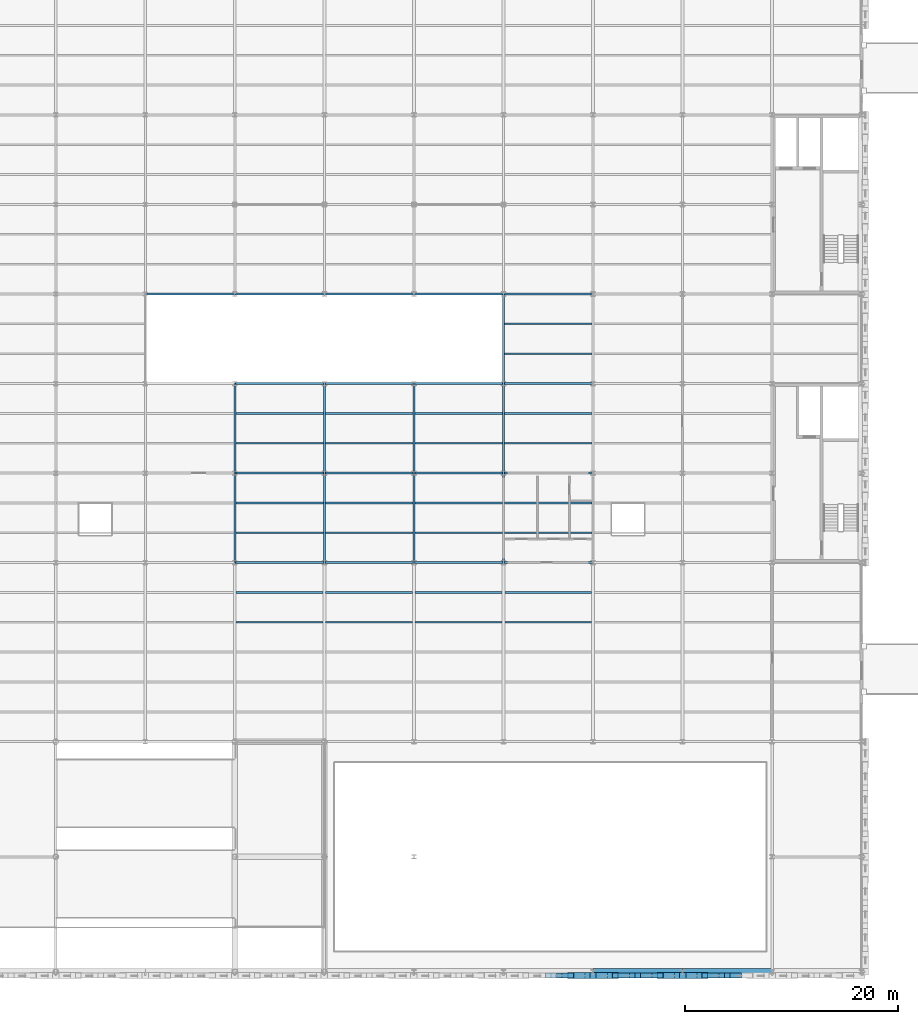
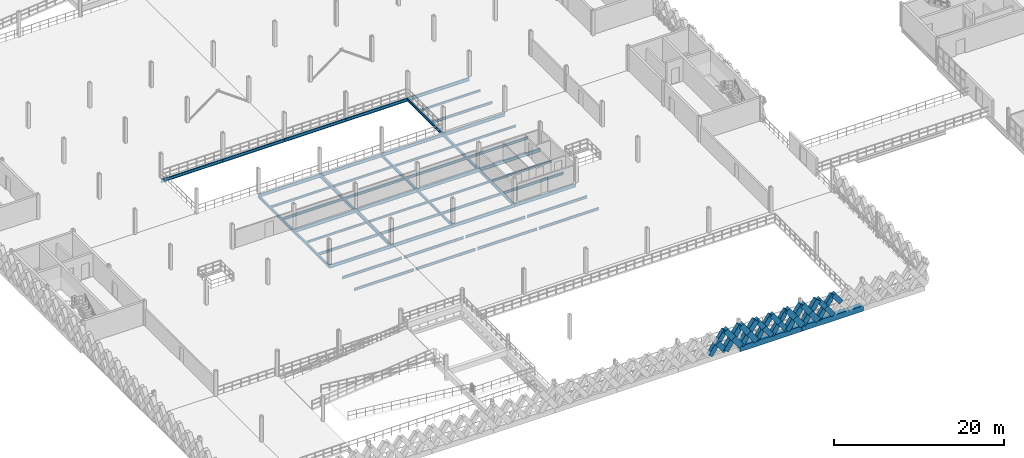
# One storey, part 27 of 101: 54 beams, 24 members.
"""IFC4 building model written with IfcOpenShell, lengths in metres."""

import ifcopenshell
import ifcopenshell.guid

model = None  # the IFC model being written
_history = None  # IfcOwnerHistory: only IFC2X3 demands one
_inside = {}  # id of a spatial element -> (the spatial element, [elements in it])
_under = {}  # id of a project, library or spatial element -> (it, [spatial elements below it])
_declared = {}  # id of a project -> (the project, [libraries it declares])
_typed = {}  # id of a type object -> (the type object, [elements of that type])
_made_of = {}  # id of a material, layer set ... -> (it, [elements and type objects made of it])


def new_model(schema):
    """Start an empty IFC model of exactly this schema.

    Asked for "IFC4X3", IfcOpenShell would pick the latest addendum, in which some entities
    have other attributes; the version numbers below select the first issue.
    IFC2X3 requires an IfcOwnerHistory on every rooted entity: one is made here for all.
    """
    global model, _history
    if schema == "IFC4X3":
        model = ifcopenshell.file(schema_version=(4, 3, 0, 0))
    else:
        model = ifcopenshell.file(schema=schema)
    _inside.clear()
    _under.clear()
    _declared.clear()
    _typed.clear()
    _made_of.clear()
    _history = None
    if model.schema == "IFC2X3":
        org = make("IfcOrganization", Name="unknown")
        user = make(
            "IfcPersonAndOrganization",
            ThePerson=make("IfcPerson", FamilyName="unknown"),
            TheOrganization=org,
        )
        app = make(
            "IfcApplication",
            ApplicationDeveloper=org,
            Version="unknown",
            ApplicationFullName="unknown",
            ApplicationIdentifier="unknown",
        )
        _history = make(
            "IfcOwnerHistory",
            OwningUser=user,
            OwningApplication=app,
            ChangeAction="ADDED",
            CreationDate=0,
        )
    return model


def make(cls, **values):
    """One entity of the class cls with the attributes given. An attribute that is None is left unset."""
    return model.create_entity(
        cls, **{name: value for name, value in values.items() if value is not None}
    )


def rooted(cls, **values):
    """An entity with a GlobalId (a new one), such as an element, a storey or a relation."""
    return make(cls, GlobalId=ifcopenshell.guid.new(), OwnerHistory=_history, **values)


def si_unit(unit_type, name, prefix=None):
    """IfcSIUnit, for example si_unit("LENGTHUNIT", "METRE", prefix="MILLI")."""
    return make("IfcSIUnit", UnitType=unit_type, Prefix=prefix, Name=name)


def assignment(units):
    """IfcUnitAssignment: the units of a project."""
    return None if units is None else make("IfcUnitAssignment", Units=units)


def point(xyz):
    """IfcCartesianPoint."""
    return None if xyz is None else make("IfcCartesianPoint", Coordinates=xyz)


def direction(xyz):
    """IfcDirection."""
    return None if xyz is None else make("IfcDirection", DirectionRatios=xyz)


def frame(location, z_axis=None, x_axis=None):
    """IfcAxis2Placement3D, a coordinate frame: its origin and axes. An axis left out is left unset."""
    return make(
        "IfcAxis2Placement3D",
        Location=point(location),
        Axis=direction(z_axis),
        RefDirection=direction(x_axis),
    )


def frame_2d(location, x_axis=None):
    """IfcAxis2Placement2D, a coordinate frame in the plane: its origin and x axis."""
    return make(
        "IfcAxis2Placement2D", Location=point(location), RefDirection=direction(x_axis)
    )


def origin():
    """The frame at (0, 0, 0) with its axes left unset."""
    return frame((0.0, 0.0, 0.0))


def origin_2d():
    """The frame at (0, 0) in the plane with its x axis left unset."""
    return frame_2d((0.0, 0.0))


def place(relative_to, where):
    """IfcLocalPlacement: puts the frame where relative to a parent placement (None: the world)."""
    return make(
        "IfcLocalPlacement", PlacementRelTo=relative_to, RelativePlacement=where
    )


def context(
    kind, dimensions, precision=None, world=None, true_north=None, identifier=None
):
    """IfcGeometricRepresentationContext, for example the 3D "Model" context."""
    return make(
        "IfcGeometricRepresentationContext",
        ContextIdentifier=identifier,
        ContextType=kind,
        CoordinateSpaceDimension=dimensions,
        Precision=precision,
        WorldCoordinateSystem=world,
        TrueNorth=true_north,
    )


def subcontext(parent, identifier, kind, view, scale=None):
    """IfcGeometricRepresentationSubContext, for example "Body" below "Model"."""
    return make(
        "IfcGeometricRepresentationSubContext",
        ContextIdentifier=identifier,
        ContextType=kind,
        ParentContext=parent,
        TargetScale=scale,
        TargetView=view,
    )


def project(units=None, contexts=None):
    """IfcProject with its units and contexts."""
    return rooted(
        "IfcProject",
        Name="project",
        RepresentationContexts=contexts,
        UnitsInContext=assignment(units),
    )


def spatial(cls, under=None, at=None, **own):
    """A site, building, storey or space (cls), placed at a placement, below another one or the project."""
    s = rooted(cls, ObjectPlacement=at, **own)
    if under is not None:
        _under.setdefault(under.id(), (under, []))[1].append(s)
    return s


def profile(cls, at=None, kind="AREA", **sizes):
    """A parametric profile (cls). Its sizes go by their IFC names, for example OverallWidth=200.0."""
    return make(cls, ProfileType=kind, Position=at, **sizes)


def rectangle(**sizes):
    """IfcRectangleProfileDef."""
    return profile("IfcRectangleProfileDef", **sizes)


def i_section(**sizes):
    """IfcIShapeProfileDef."""
    return profile("IfcIShapeProfileDef", **sizes)


def extrude(swept, where, along, depth):
    """IfcExtrudedAreaSolid: the profile swept, set in the frame where, extruded along a direction by depth."""
    return make(
        "IfcExtrudedAreaSolid",
        SweptArea=swept,
        Position=where,
        ExtrudedDirection=direction(along),
        Depth=depth,
    )


def shape(context_of_items, identifier, shape_type, items):
    """IfcShapeRepresentation: the items that make up one representation, for example the "Body"."""
    return make(
        "IfcShapeRepresentation",
        ContextOfItems=context_of_items,
        RepresentationIdentifier=identifier,
        RepresentationType=shape_type,
        Items=items,
    )


def material(Name=None, Category=None):
    """IfcMaterial."""
    return make("IfcMaterial", Name=Name, Category=Category)


def material_profile(
    of_material, cross_section, Name=None, Category=None, Priority=None
):
    """IfcMaterialProfile: a cross section and its material."""
    return make(
        "IfcMaterialProfile",
        Name=Name,
        Material=of_material,
        Profile=cross_section,
        Priority=Priority,
        Category=Category,
    )


def profile_set(profiles, Name=None, composite=None):
    """IfcMaterialProfileSet."""
    return make(
        "IfcMaterialProfileSet",
        Name=Name,
        MaterialProfiles=profiles,
        CompositeProfile=composite,
    )


def made_of(thing, what):
    """Note that an element or type object is made of a material, layer set ...; save() writes the relation."""
    if what is not None:
        _made_of.setdefault(what.id(), (what, []))[1].append(thing)
    return thing


def type_object(cls, material=None, **own):
    """A type object (cls), such as IfcWallType, which elements share."""
    return made_of(rooted(cls, **own), material)


def element(
    cls,
    number,
    at=None,
    inside=None,
    cuts=None,
    type_object=None,
    material=None,
    context=None,
    identifier="Body",
    shape_type=None,
    held_by="IfcProductDefinitionShape",
    body=None,
    shapes=None,
    **own,
):
    """One element of the class cls, such as IfcWall. Its Tag is "e" and its number.

    at: its placement. inside: the storey or other place that contains it. cuts: it is an
    opening in that element (IfcRelVoidsElement). A single representation is given by context,
    identifier, shape_type and body (its items); several are given by shapes. held_by: the class
    of the entity that holds the representations. save() writes the other relations.
    """
    e = rooted(cls, Tag="e%d" % number, ObjectPlacement=at, **own)
    if body is not None:
        shapes = [shape(context, identifier, shape_type, body)]
    if shapes is not None:
        e.Representation = make(held_by, Representations=shapes)
    if inside is not None:
        _inside.setdefault(inside.id(), (inside, []))[1].append(e)
    if cuts is not None:
        rooted(
            "IfcRelVoidsElement", RelatingBuildingElement=cuts, RelatedOpeningElement=e
        )
    if type_object is not None:
        _typed.setdefault(type_object.id(), (type_object, []))[1].append(e)
    return made_of(e, material)


def aggregate(whole, parts):
    """IfcRelAggregates: a whole, such as a stair, and the parts it consists of."""
    return rooted("IfcRelAggregates", RelatingObject=whole, RelatedObjects=parts)


def save(model, path):
    """Write the relations noted so far, then the file.

    IfcRelAggregates (storeys below a building ...), IfcRelContainedInSpatialStructure (elements
    in a storey), IfcRelDefinesByType, IfcRelAssociatesMaterial and IfcRelDeclares: one each for
    every whole, place, type object, material and project.
    """
    for whole, parts in _under.values():
        aggregate(whole, parts)
    for where, things in _inside.values():
        rooted(
            "IfcRelContainedInSpatialStructure",
            RelatedElements=things,
            RelatingStructure=where,
        )
    for kind, things in _typed.values():
        rooted("IfcRelDefinesByType", RelatedObjects=things, RelatingType=kind)
    for what, things in _made_of.values():
        rooted("IfcRelAssociatesMaterial", RelatedObjects=things, RelatingMaterial=what)
    for by, libraries in _declared.values():
        rooted("IfcRelDeclares", RelatingContext=by, RelatedDefinitions=libraries)
    model.write(path)


model = new_model("IFC4")

# Units and contexts
model_context = context("Model", 3, precision=1e-05, world=origin(), true_north=direction((0.0, 1.0)))
body_context = subcontext(model_context, "Body", "Model", "MODEL_VIEW")
ifc_project = project(units=[si_unit("LENGTHUNIT", "METRE"), si_unit("AREAUNIT", "SQUARE_METRE"), si_unit("VOLUMEUNIT", "CUBIC_METRE"), si_unit("PLANEANGLEUNIT", "RADIAN"), si_unit("MASSUNIT", "GRAM", prefix="KILO"), si_unit("THERMODYNAMICTEMPERATUREUNIT", "KELVIN"), si_unit("POWERUNIT", "WATT")], contexts=[model_context])

# Site, building, storey
site_placement = place(None, origin())
site = spatial("IfcSite", under=ifc_project, at=site_placement, CompositionType="ELEMENT")
building_placement = place(site_placement, origin())
building = spatial("IfcBuilding", under=site, at=building_placement, Name="Tembeka Court Mobility Hub", CompositionType="ELEMENT")
storey_placement = place(building_placement, frame((0.0, 0.0, 5.39990234375)))
storey = spatial("IfcBuildingStorey", under=building, at=storey_placement, Name="L01", CompositionType="ELEMENT", Elevation=5.39990234375)

# Beams
ifc_material_1 = material(Name="Steel S355", Category="steel")
ifc_material_profile_1 = material_profile(ifc_material_1, i_section(OverallWidth=0.18994140625, OverallDepth=0.45703125, WebThickness=0.009033203125, FlangeThickness=0.014404296875, FilletRadius=0.01025390625, at=origin_2d()), Name="UKB 457x191x74")
ifc_profile_set_1 = profile_set([ifc_material_profile_1], Name="Steel S355")
beam_type_1 = type_object("IfcBeamType", Name="BM-B01", PredefinedType="BEAM", material=ifc_profile_set_1)
for number, where, z_axis, x_axis, name in (
    (1, (33.60009765625, 38.39990234375, -0.448486328125), (1.0, 0.0, 0.0), (0.0, 1.0, 0.0), "Beam B01 (BM-L01-X0653)"),
    (2, (42.0, 38.39990234375, -0.448486328125), (1.0, 0.0, 0.0), (0.0, 1.0, 0.0), "Beam B01 (BM-L01-X0654)"),
):
    element("IfcBeam", number, at=place(storey_placement, frame(where, z_axis=z_axis, x_axis=x_axis)), inside=storey, type_object=beam_type_1, Name=name, PredefinedType="BEAM", context=body_context, shape_type="SweptSolid", body=[
        extrude(i_section(OverallWidth=0.18994140625, OverallDepth=0.45703125, WebThickness=0.009033203125, FlangeThickness=0.014404296875, FilletRadius=0.01025390625, at=origin_2d()), origin(), (0.0, 0.0, 1.0), 8.39990234375),
    ])
beam_1_placement = place(storey_placement, frame((50.39990234375, 38.39990234375, -0.448486328125), z_axis=(1.0, 0.0, 0.0), x_axis=(0.0, 1.0, 0.0)))
element("IfcBeam", 3, at=beam_1_placement, inside=storey, type_object=beam_type_1, Name="Beam B01 (BM-L01-X0655)", PredefinedType="BEAM", context=body_context, shape_type="SweptSolid", body=[
    extrude(i_section(OverallWidth=0.18994140625, OverallDepth=0.45703125, WebThickness=0.009033203125, FlangeThickness=0.014404296875, FilletRadius=0.01025390625, at=origin_2d()), origin(), (0.0, 0.0, 1.0), 8.400146484375),
])
for number, where, z_axis, x_axis, name in (
    (4, (58.800048828125, 38.39990234375, -0.448486328125), (1.0, 0.0, 0.0), (0.0, 1.0, 0.0), "Beam B01 (BM-L01-X0656)"),
    (5, (33.60009765625, 46.800048828125, -0.448486328125), (1.0, 0.0, 0.0), (0.0, 1.0, 0.0), "Beam B01 (BM-L01-X0668)"),
    (6, (42.0, 46.800048828125, -0.448486328125), (1.0, 0.0, 0.0), (0.0, 1.0, 0.0), "Beam B01 (BM-L01-X0669)"),
):
    element("IfcBeam", number, at=place(storey_placement, frame(where, z_axis=z_axis, x_axis=x_axis)), inside=storey, type_object=beam_type_1, Name=name, PredefinedType="BEAM", context=body_context, shape_type="SweptSolid", body=[
        extrude(i_section(OverallWidth=0.18994140625, OverallDepth=0.45703125, WebThickness=0.009033203125, FlangeThickness=0.014404296875, FilletRadius=0.01025390625, at=origin_2d()), origin(), (0.0, 0.0, 1.0), 8.39990234375),
    ])
beam_2_placement = place(storey_placement, frame((50.39990234375, 46.800048828125, -0.448486328125), z_axis=(1.0, 0.0, 0.0), x_axis=(0.0, 1.0, 0.0)))
element("IfcBeam", 7, at=beam_2_placement, inside=storey, type_object=beam_type_1, Name="Beam B01 (BM-L01-X0670)", PredefinedType="BEAM", context=body_context, shape_type="SweptSolid", body=[
    extrude(i_section(OverallWidth=0.18994140625, OverallDepth=0.45703125, WebThickness=0.009033203125, FlangeThickness=0.014404296875, FilletRadius=0.01025390625, at=origin_2d()), origin(), (0.0, 0.0, 1.0), 8.400146484375),
])
for number, where, z_axis, x_axis, name in (
    (8, (58.800048828125, 46.800048828125, -0.448486328125), (1.0, 0.0, 0.0), (0.0, 1.0, 0.0), "Beam B01 (BM-L01-X0671)"),
    (9, (33.60009765625, 55.199951171875, -0.448486328125), (1.0, 0.0, 0.0), (0.0, 1.0, 0.0), "Beam B01 (BM-L01-X0683)"),
    (10, (42.0, 55.199951171875, -0.448486328125), (1.0, 0.0, 0.0), (0.0, 1.0, 0.0), "Beam B01 (BM-L01-X0684)"),
):
    element("IfcBeam", number, at=place(storey_placement, frame(where, z_axis=z_axis, x_axis=x_axis)), inside=storey, type_object=beam_type_1, Name=name, PredefinedType="BEAM", context=body_context, shape_type="SweptSolid", body=[
        extrude(i_section(OverallWidth=0.18994140625, OverallDepth=0.45703125, WebThickness=0.009033203125, FlangeThickness=0.014404296875, FilletRadius=0.01025390625, at=origin_2d()), origin(), (0.0, 0.0, 1.0), 8.39990234375),
    ])
beam_3_placement = place(storey_placement, frame((50.39990234375, 55.199951171875, -0.448486328125), z_axis=(1.0, 0.0, 0.0), x_axis=(0.0, 1.0, 0.0)))
element("IfcBeam", 11, at=beam_3_placement, inside=storey, type_object=beam_type_1, Name="Beam B01 (BM-L01-X0685)", PredefinedType="BEAM", context=body_context, shape_type="SweptSolid", body=[
    extrude(i_section(OverallWidth=0.18994140625, OverallDepth=0.45703125, WebThickness=0.009033203125, FlangeThickness=0.014404296875, FilletRadius=0.01025390625, at=origin_2d()), origin(), (0.0, 0.0, 1.0), 8.400146484375),
])
beam_4_placement = place(storey_placement, frame((58.800048828125, 55.199951171875, -0.448486328125), z_axis=(1.0, 0.0, 0.0), x_axis=(0.0, 1.0, 0.0)))
element("IfcBeam", 12, at=beam_4_placement, inside=storey, type_object=beam_type_1, Name="Beam B01 (BM-L01-X0686)", PredefinedType="BEAM", context=body_context, shape_type="SweptSolid", body=[
    extrude(i_section(OverallWidth=0.18994140625, OverallDepth=0.45703125, WebThickness=0.009033203125, FlangeThickness=0.014404296875, FilletRadius=0.01025390625, at=origin_2d()), origin(), (0.0, 0.0, 1.0), 8.39990234375),
])
beam_5_placement = place(storey_placement, frame((25.199951171875, 63.60009765625, -0.448486328125), z_axis=(1.0, 0.0, 0.0), x_axis=(0.0, 1.0, 0.0)))
element("IfcBeam", 13, at=beam_5_placement, inside=storey, type_object=beam_type_1, Name="Beam B01 (BM-L01-X0694)", PredefinedType="BEAM", context=body_context, shape_type="SweptSolid", body=[
    extrude(i_section(OverallWidth=0.18994140625, OverallDepth=0.45703125, WebThickness=0.009033203125, FlangeThickness=0.014404296875, FilletRadius=0.01025390625, at=origin_2d()), origin(), (0.0, 0.0, 1.0), 8.400146484375),
])
for number, where, z_axis, x_axis, name in (
    (14, (33.60009765625, 63.60009765625, -0.448486328125), (1.0, 0.0, 0.0), (0.0, 1.0, 0.0), "Beam B01 (BM-L01-X0695)"),
    (15, (42.0, 63.60009765625, -0.448486328125), (1.0, 0.0, 0.0), (0.0, 1.0, 0.0), "Beam B01 (BM-L01-X0696)"),
):
    element("IfcBeam", number, at=place(storey_placement, frame(where, z_axis=z_axis, x_axis=x_axis)), inside=storey, type_object=beam_type_1, Name=name, PredefinedType="BEAM", context=body_context, shape_type="SweptSolid", body=[
        extrude(i_section(OverallWidth=0.18994140625, OverallDepth=0.45703125, WebThickness=0.009033203125, FlangeThickness=0.014404296875, FilletRadius=0.01025390625, at=origin_2d()), origin(), (0.0, 0.0, 1.0), 8.39990234375),
    ])
beam_6_placement = place(storey_placement, frame((50.39990234375, 63.60009765625, -0.448486328125), z_axis=(1.0, 0.0, 0.0), x_axis=(0.0, 1.0, 0.0)))
element("IfcBeam", 16, at=beam_6_placement, inside=storey, type_object=beam_type_1, Name="Beam B01 (BM-L01-X0697)", PredefinedType="BEAM", context=body_context, shape_type="SweptSolid", body=[
    extrude(i_section(OverallWidth=0.18994140625, OverallDepth=0.45703125, WebThickness=0.009033203125, FlangeThickness=0.014404296875, FilletRadius=0.01025390625, at=origin_2d()), origin(), (0.0, 0.0, 1.0), 8.400146484375),
])
beam_7_placement = place(storey_placement, frame((58.800048828125, 63.60009765625, -0.448486328125), z_axis=(1.0, 0.0, 0.0), x_axis=(0.0, 1.0, 0.0)))
element("IfcBeam", 17, at=beam_7_placement, inside=storey, type_object=beam_type_1, Name="Beam B01 (BM-L01-X0698)", PredefinedType="BEAM", context=body_context, shape_type="SweptSolid", body=[
    extrude(i_section(OverallWidth=0.18994140625, OverallDepth=0.45703125, WebThickness=0.009033203125, FlangeThickness=0.014404296875, FilletRadius=0.01025390625, at=origin_2d()), origin(), (0.0, 0.0, 1.0), 8.39990234375),
])
ifc_material_profile_2 = material_profile(ifc_material_1, i_section(OverallWidth=0.177978515625, OverallDepth=0.406005859375, WebThickness=0.0078125, FlangeThickness=0.0126953125, FilletRadius=0.01025390625, at=origin_2d()), Name="UKB 406x178x60")
ifc_profile_set_2 = profile_set([ifc_material_profile_2], Name="Steel S355")
beam_type_2 = type_object("IfcBeamType", Name="BM-B02", PredefinedType="BEAM", material=ifc_profile_set_2)
beam_8_placement = place(storey_placement, frame((33.60009765625, 38.39990234375, -0.4228515625), z_axis=(0.0, 1.0, 0.0), x_axis=(-1.0, 0.0, 0.0)))
element("IfcBeam", 18, at=beam_8_placement, inside=storey, type_object=beam_type_2, Name="Beam B02 (BM-L01-Y0802)", PredefinedType="BEAM", context=body_context, shape_type="SweptSolid", body=[
    extrude(i_section(OverallWidth=0.177978515625, OverallDepth=0.406005859375, WebThickness=0.0078125, FlangeThickness=0.0126953125, FilletRadius=0.01025390625, at=origin_2d()), origin(), (0.0, 0.0, 1.0), 8.400146484375),
])
beam_9_placement = place(storey_placement, frame((33.60009765625, 46.800048828125, -0.4228515625), z_axis=(0.0, 1.0, 0.0), x_axis=(-1.0, 0.0, 0.0)))
element("IfcBeam", 19, at=beam_9_placement, inside=storey, type_object=beam_type_2, Name="Beam B02 (BM-L01-Y0803)", PredefinedType="BEAM", context=body_context, shape_type="SweptSolid", body=[
    extrude(i_section(OverallWidth=0.177978515625, OverallDepth=0.406005859375, WebThickness=0.0078125, FlangeThickness=0.0126953125, FilletRadius=0.01025390625, at=origin_2d()), origin(), (0.0, 0.0, 1.0), 8.39990234375),
])
beam_10_placement = place(storey_placement, frame((42.0, 38.39990234375, -0.4228515625), z_axis=(0.0, 1.0, 0.0), x_axis=(-1.0, 0.0, 0.0)))
element("IfcBeam", 20, at=beam_10_placement, inside=storey, type_object=beam_type_2, Name="Beam B02 (BM-L01-Y0810)", PredefinedType="BEAM", context=body_context, shape_type="SweptSolid", body=[
    extrude(i_section(OverallWidth=0.177978515625, OverallDepth=0.406005859375, WebThickness=0.0078125, FlangeThickness=0.0126953125, FilletRadius=0.01025390625, at=origin_2d()), origin(), (0.0, 0.0, 1.0), 8.400146484375),
])
beam_11_placement = place(storey_placement, frame((42.0, 46.800048828125, -0.4228515625), z_axis=(0.0, 1.0, 0.0), x_axis=(-1.0, 0.0, 0.0)))
element("IfcBeam", 21, at=beam_11_placement, inside=storey, type_object=beam_type_2, Name="Beam B02 (BM-L01-Y0811)", PredefinedType="BEAM", context=body_context, shape_type="SweptSolid", body=[
    extrude(i_section(OverallWidth=0.177978515625, OverallDepth=0.406005859375, WebThickness=0.0078125, FlangeThickness=0.0126953125, FilletRadius=0.01025390625, at=origin_2d()), origin(), (0.0, 0.0, 1.0), 8.39990234375),
])
beam_12_placement = place(storey_placement, frame((50.39990234375, 38.39990234375, -0.4228515625), z_axis=(0.0, 1.0, 0.0), x_axis=(-1.0, 0.0, 0.0)))
element("IfcBeam", 22, at=beam_12_placement, inside=storey, type_object=beam_type_2, Name="Beam B02 (BM-L01-Y0818)", PredefinedType="BEAM", context=body_context, shape_type="SweptSolid", body=[
    extrude(i_section(OverallWidth=0.177978515625, OverallDepth=0.406005859375, WebThickness=0.0078125, FlangeThickness=0.0126953125, FilletRadius=0.01025390625, at=origin_2d()), origin(), (0.0, 0.0, 1.0), 8.400146484375),
])
beam_13_placement = place(storey_placement, frame((50.39990234375, 46.800048828125, -0.4228515625), z_axis=(0.0, 1.0, 0.0), x_axis=(-1.0, 0.0, 0.0)))
element("IfcBeam", 23, at=beam_13_placement, inside=storey, type_object=beam_type_2, Name="Beam B02 (BM-L01-Y0819)", PredefinedType="BEAM", context=body_context, shape_type="SweptSolid", body=[
    extrude(i_section(OverallWidth=0.177978515625, OverallDepth=0.406005859375, WebThickness=0.0078125, FlangeThickness=0.0126953125, FilletRadius=0.01025390625, at=origin_2d()), origin(), (0.0, 0.0, 1.0), 8.39990234375),
])
beam_14_placement = place(storey_placement, frame((58.800048828125, 38.39990234375, -0.4228515625), z_axis=(0.0, 1.0, 0.0), x_axis=(-1.0, 0.0, 0.0)))
element("IfcBeam", 24, at=beam_14_placement, inside=storey, type_object=beam_type_2, Name="Beam B02 (BM-L01-Y0824)", PredefinedType="BEAM", context=body_context, shape_type="SweptSolid", body=[
    extrude(i_section(OverallWidth=0.177978515625, OverallDepth=0.406005859375, WebThickness=0.0078125, FlangeThickness=0.0126953125, FilletRadius=0.01025390625, at=origin_2d()), origin(), (0.0, 0.0, 1.0), 8.400146484375),
])
beam_15_placement = place(storey_placement, frame((58.800048828125, 46.800048828125, -0.4228515625), z_axis=(0.0, 1.0, 0.0), x_axis=(-1.0, 0.0, 0.0)))
element("IfcBeam", 25, at=beam_15_placement, inside=storey, type_object=beam_type_2, Name="Beam B02 (BM-L01-Y0825)", PredefinedType="BEAM", context=body_context, shape_type="SweptSolid", body=[
    extrude(i_section(OverallWidth=0.177978515625, OverallDepth=0.406005859375, WebThickness=0.0078125, FlangeThickness=0.0126953125, FilletRadius=0.01025390625, at=origin_2d()), origin(), (0.0, 0.0, 1.0), 8.39990234375),
])
beam_16_placement = place(storey_placement, frame((58.800048828125, 55.199951171875, -0.4228515625), z_axis=(0.0, 1.0, 0.0), x_axis=(-1.0, 0.0, 0.0)))
element("IfcBeam", 26, at=beam_16_placement, inside=storey, type_object=beam_type_2, Name="Beam B02 (BM-L01-Y0826)", PredefinedType="BEAM", context=body_context, shape_type="SweptSolid", body=[
    extrude(i_section(OverallWidth=0.177978515625, OverallDepth=0.406005859375, WebThickness=0.0078125, FlangeThickness=0.0126953125, FilletRadius=0.01025390625, at=origin_2d()), origin(), (0.0, 0.0, 1.0), 8.400146484375),
])
ifc_material_profile_3 = material_profile(ifc_material_1, i_section(OverallWidth=0.172119140625, OverallDepth=0.35498046875, WebThickness=0.00732421875, FlangeThickness=0.011474609375, FilletRadius=0.01025390625, at=origin_2d()), Name="UKB 356x171x51")
ifc_profile_set_3 = profile_set([ifc_material_profile_3], Name="Steel S355")
beam_type_3 = type_object("IfcBeamType", Name="BM-J01", PredefinedType="JOIST", material=ifc_profile_set_3)
for number, where, z_axis, x_axis, name in (
    (27, (33.721923828125, 32.800048828125, -0.3974609375), (1.0, 0.0, 0.0), (0.0, 1.0, 0.0), "Beam J01 (JST-L01-0984)"),
    (28, (33.721923828125, 35.60009765625, -0.3974609375), (1.0, 0.0, 0.0), (0.0, 1.0, 0.0), "Beam J01 (JST-L01-0985)"),
    (29, (42.1220703125, 32.800048828125, -0.3974609375), (1.0, 0.0, 0.0), (0.0, 1.0, 0.0), "Beam J01 (JST-L01-1002)"),
    (30, (42.1220703125, 35.60009765625, -0.3974609375), (1.0, 0.0, 0.0), (0.0, 1.0, 0.0), "Beam J01 (JST-L01-1003)"),
    (31, (50.52197265625, 32.800048828125, -0.3974609375), (1.0, 0.0, 0.0), (0.0, 1.0, 0.0), "Beam J01 (JST-L01-1020)"),
    (32, (50.52197265625, 35.60009765625, -0.3974609375), (1.0, 0.0, 0.0), (0.0, 1.0, 0.0), "Beam J01 (JST-L01-1021)"),
):
    element("IfcBeam", number, at=place(storey_placement, frame(where, z_axis=z_axis, x_axis=x_axis)), inside=storey, type_object=beam_type_3, Name=name, PredefinedType="JOIST", context=body_context, shape_type="SweptSolid", body=[
        extrude(i_section(OverallWidth=0.172119140625, OverallDepth=0.35498046875, WebThickness=0.00732421875, FlangeThickness=0.011474609375, FilletRadius=0.01025390625, at=origin_2d()), origin(), (0.0, 0.0, 1.0), 8.156005859375),
    ])
for number, where, z_axis, x_axis, name in (
    (33, (58.922119140625, 32.800048828125, -0.3974609375), (1.0, 0.0, 0.0), (0.0, 1.0, 0.0), "Beam J01 (JST-L01-1038)"),
    (34, (58.922119140625, 35.60009765625, -0.3974609375), (1.0, 0.0, 0.0), (0.0, 1.0, 0.0), "Beam J01 (JST-L01-1039)"),
):
    element("IfcBeam", number, at=place(storey_placement, frame(where, z_axis=z_axis, x_axis=x_axis)), inside=storey, type_object=beam_type_3, Name=name, PredefinedType="JOIST", context=body_context, shape_type="SweptSolid", body=[
        extrude(i_section(OverallWidth=0.172119140625, OverallDepth=0.35498046875, WebThickness=0.00732421875, FlangeThickness=0.011474609375, FilletRadius=0.01025390625, at=origin_2d()), origin(), (0.0, 0.0, 1.0), 8.15576171875),
    ])
ifc_material_profile_4 = material_profile(ifc_material_1, i_section(OverallWidth=0.1650390625, OverallDepth=0.303955078125, WebThickness=0.006103515625, FlangeThickness=0.01025390625, FilletRadius=0.0087890625, at=origin_2d()), Name="UKB 305x165x40")
ifc_profile_set_4 = profile_set([ifc_material_profile_4], Name="Steel S355")
beam_type_4 = type_object("IfcBeamType", Name="BM-J02", PredefinedType="JOIST", material=ifc_profile_set_4)
for number, where, z_axis, x_axis, name in (
    (35, (33.68408203125, 44.0, -0.371826171875), (1.0, 0.0, 0.0), (0.0, 1.0, 0.0), "Beam J02 (JST-L01-0987)"),
    (36, (33.68408203125, 52.39990234375, -0.371826171875), (1.0, 0.0, 0.0), (0.0, 1.0, 0.0), "Beam J02 (JST-L01-0989)"),
    (37, (42.083984375, 44.0, -0.371826171875), (1.0, 0.0, 0.0), (0.0, 1.0, 0.0), "Beam J02 (JST-L01-1005)"),
    (38, (42.083984375, 52.39990234375, -0.371826171875), (1.0, 0.0, 0.0), (0.0, 1.0, 0.0), "Beam J02 (JST-L01-1007)"),
):
    element("IfcBeam", number, at=place(storey_placement, frame(where, z_axis=z_axis, x_axis=x_axis)), inside=storey, type_object=beam_type_4, Name=name, PredefinedType="JOIST", context=body_context, shape_type="SweptSolid", body=[
        extrude(i_section(OverallWidth=0.1650390625, OverallDepth=0.303955078125, WebThickness=0.006103515625, FlangeThickness=0.01025390625, FilletRadius=0.0087890625, at=origin_2d()), origin(), (0.0, 0.0, 1.0), 8.23193359375),
    ])
for number, where, z_axis, x_axis, name in (
    (39, (50.48388671875, 44.0, -0.371826171875), (1.0, 0.0, 0.0), (0.0, 1.0, 0.0), "Beam J02 (JST-L01-1023)"),
    (40, (50.48388671875, 52.39990234375, -0.371826171875), (1.0, 0.0, 0.0), (0.0, 1.0, 0.0), "Beam J02 (JST-L01-1025)"),
):
    element("IfcBeam", number, at=place(storey_placement, frame(where, z_axis=z_axis, x_axis=x_axis)), inside=storey, type_object=beam_type_4, Name=name, PredefinedType="JOIST", context=body_context, shape_type="SweptSolid", body=[
        extrude(i_section(OverallWidth=0.1650390625, OverallDepth=0.303955078125, WebThickness=0.006103515625, FlangeThickness=0.01025390625, FilletRadius=0.0087890625, at=origin_2d()), origin(), (0.0, 0.0, 1.0), 8.232177734375),
    ])
for number, where, z_axis, x_axis, name in (
    (41, (58.884033203125, 44.0, -0.371826171875), (1.0, 0.0, 0.0), (0.0, 1.0, 0.0), "Beam J02 (JST-L01-1041)"),
    (42, (58.884033203125, 52.39990234375, -0.371826171875), (1.0, 0.0, 0.0), (0.0, 1.0, 0.0), "Beam J02 (JST-L01-1043)"),
    (43, (58.884033203125, 60.800048828125, -0.371826171875), (1.0, 0.0, 0.0), (0.0, 1.0, 0.0), "Beam J02 (JST-L01-1045)"),
):
    element("IfcBeam", number, at=place(storey_placement, frame(where, z_axis=z_axis, x_axis=x_axis)), inside=storey, type_object=beam_type_4, Name=name, PredefinedType="JOIST", context=body_context, shape_type="SweptSolid", body=[
        extrude(i_section(OverallWidth=0.1650390625, OverallDepth=0.303955078125, WebThickness=0.006103515625, FlangeThickness=0.01025390625, FilletRadius=0.0087890625, at=origin_2d()), origin(), (0.0, 0.0, 1.0), 8.23193359375),
    ])
ifc_material_profile_5 = material_profile(ifc_material_1, i_section(OverallWidth=0.169921875, OverallDepth=0.360107421875, WebThickness=0.008056640625, FlangeThickness=0.0126953125, FilletRadius=0.01806640625, at=origin_2d()), Name="IPE 360")
ifc_profile_set_5 = profile_set([ifc_material_profile_5], Name="Steel S355")
beam_type_5 = type_object("IfcBeamType", Name="BM-J03", PredefinedType="JOIST", material=ifc_profile_set_5)
for number, where, z_axis, x_axis, name in (
    (44, (33.68408203125, 41.199951171875, -0.39990234375), (1.0, 0.0, 0.0), (0.0, 1.0, 0.0), "Beam J03 (JST-L01-0986)"),
    (45, (33.68408203125, 49.60009765625, -0.39990234375), (1.0, 0.0, 0.0), (0.0, 1.0, 0.0), "Beam J03 (JST-L01-0988)"),
    (46, (42.083984375, 41.199951171875, -0.39990234375), (1.0, 0.0, 0.0), (0.0, 1.0, 0.0), "Beam J03 (JST-L01-1004)"),
    (47, (42.083984375, 49.60009765625, -0.39990234375), (1.0, 0.0, 0.0), (0.0, 1.0, 0.0), "Beam J03 (JST-L01-1006)"),
):
    element("IfcBeam", number, at=place(storey_placement, frame(where, z_axis=z_axis, x_axis=x_axis)), inside=storey, type_object=beam_type_5, Name=name, PredefinedType="JOIST", context=body_context, shape_type="SweptSolid", body=[
        extrude(i_section(OverallWidth=0.169921875, OverallDepth=0.360107421875, WebThickness=0.008056640625, FlangeThickness=0.0126953125, FilletRadius=0.01806640625, at=origin_2d()), origin(), (0.0, 0.0, 1.0), 8.23193359375),
    ])
for number, where, z_axis, x_axis, name in (
    (48, (50.48388671875, 41.199951171875, -0.39990234375), (1.0, 0.0, 0.0), (0.0, 1.0, 0.0), "Beam J03 (JST-L01-1022)"),
    (49, (50.48388671875, 49.60009765625, -0.39990234375), (1.0, 0.0, 0.0), (0.0, 1.0, 0.0), "Beam J03 (JST-L01-1024)"),
):
    element("IfcBeam", number, at=place(storey_placement, frame(where, z_axis=z_axis, x_axis=x_axis)), inside=storey, type_object=beam_type_5, Name=name, PredefinedType="JOIST", context=body_context, shape_type="SweptSolid", body=[
        extrude(i_section(OverallWidth=0.169921875, OverallDepth=0.360107421875, WebThickness=0.008056640625, FlangeThickness=0.0126953125, FilletRadius=0.01806640625, at=origin_2d()), origin(), (0.0, 0.0, 1.0), 8.232177734375),
    ])
for number, where, z_axis, x_axis, name in (
    (50, (58.884033203125, 41.199951171875, -0.39990234375), (1.0, 0.0, 0.0), (0.0, 1.0, 0.0), "Beam J03 (JST-L01-1040)"),
    (51, (58.884033203125, 49.60009765625, -0.39990234375), (1.0, 0.0, 0.0), (0.0, 1.0, 0.0), "Beam J03 (JST-L01-1042)"),
    (52, (58.884033203125, 58.0, -0.39990234375), (1.0, 0.0, 0.0), (0.0, 1.0, 0.0), "Beam J03 (JST-L01-1044)"),
):
    element("IfcBeam", number, at=place(storey_placement, frame(where, z_axis=z_axis, x_axis=x_axis)), inside=storey, type_object=beam_type_5, Name=name, PredefinedType="JOIST", context=body_context, shape_type="SweptSolid", body=[
        extrude(i_section(OverallWidth=0.169921875, OverallDepth=0.360107421875, WebThickness=0.008056640625, FlangeThickness=0.0126953125, FilletRadius=0.01806640625, at=origin_2d()), origin(), (0.0, 0.0, 1.0), 8.23193359375),
    ])
ifc_material_2 = material(Name="Precast concrete C45/55", Category="concrete")
ifc_material_profile_6 = material_profile(ifc_material_2, rectangle(XDim=0.64990234375, YDim=0.800048828125, at=origin_2d()), Name="PC-SP 650x800")
ifc_profile_set_6 = profile_set([ifc_material_profile_6], Name="Precast concrete C45/55")
beam_type_6 = type_object("IfcBeamType", Name="BM-SP01", PredefinedType="SPANDREL", material=ifc_profile_set_6)
beam_17_placement = place(storey_placement, frame((67.199951171875, 0.0, -0.619873046875), z_axis=(1.0, 0.0, 0.0), x_axis=(0.0, 1.0, 0.0)))
element("IfcBeam", 53, at=beam_17_placement, inside=storey, type_object=beam_type_6, Name="Beam SP01 (BM-L01-X0613)", PredefinedType="SPANDREL", context=body_context, shape_type="SweptSolid", body=[
    extrude(rectangle(XDim=0.64990234375, YDim=0.800048828125, at=origin_2d()), origin(), (0.0, 0.0, 1.0), 8.400146484375),
])
beam_18_placement = place(storey_placement, frame((75.60009765625, 0.0, -0.619873046875), z_axis=(1.0, 0.0, 0.0), x_axis=(0.0, 1.0, 0.0)))
element("IfcBeam", 54, at=beam_18_placement, inside=storey, type_object=beam_type_6, Name="Beam SP01 (BM-L01-X0614)", PredefinedType="SPANDREL", context=body_context, shape_type="SweptSolid", body=[
    extrude(rectangle(XDim=0.64990234375, YDim=0.800048828125, at=origin_2d()), origin(), (0.0, 0.0, 1.0), 8.39990234375),
])

# Members
ifc_material_profile_7 = material_profile(ifc_material_2, rectangle(XDim=0.5, YDim=0.64990234375, at=origin_2d()), Name="PC-DIAG 500x650")
ifc_profile_set_7 = profile_set([ifc_material_profile_7], Name="Precast concrete C45/55")
member_type_1 = type_object("IfcMemberType", Name="MEM-DL01", PredefinedType="BRACE", material=ifc_profile_set_7)
member_1_placement = place(storey_placement, frame((63.0, -0.340087890625, 0.02001953125), z_axis=(0.582544294934, 0.0, 0.812798956963), x_axis=(0.0, 1.0, 0.0)))
element("IfcMember", 55, at=member_1_placement, inside=storey, type_object=member_type_1, Name="Precast diamond lattice continuous strand DL01 (L01-31A)", PredefinedType="BRACE", context=body_context, shape_type="SweptSolid", body=[
    extrude(rectangle(XDim=0.5, YDim=0.64990234375, at=origin_2d()), origin(), (0.0, 0.0, 1.0), 3.60498046875),
])
member_2_placement = place(storey_placement, frame((65.10009765625, -0.340087890625, 0.02001953125), z_axis=(-0.582544294934, 0.0, 0.812798956963), x_axis=(0.0, -1.0, 0.0)))
element("IfcMember", 56, at=member_2_placement, inside=storey, type_object=member_type_1, Name="Precast diamond lattice split lower strand DL01 (L01-31B1)", PredefinedType="BRACE", context=body_context, shape_type="SweptSolid", body=[
    extrude(rectangle(XDim=0.5, YDim=0.64990234375, at=origin_2d()), origin(), (0.0, 0.0, 1.0), 1.802490234375),
])
member_3_placement = place(storey_placement, frame((69.300048828125, -0.340087890625, 0.02001953125), z_axis=(0.582499552306, 0.0, 0.812831022762), x_axis=(0.0, 1.0, 0.0)))
element("IfcMember", 57, at=member_3_placement, inside=storey, type_object=member_type_1, Name="Precast diamond lattice continuous strand DL01 (L01-34A)", PredefinedType="BRACE", context=body_context, shape_type="SweptSolid", body=[
    extrude(rectangle(XDim=0.5, YDim=0.64990234375, at=origin_2d()), origin(), (0.0, 0.0, 1.0), 3.60498046875),
])
for number, where, z_axis, x_axis, name in (
    (58, (71.39990234375, -0.340087890625, 0.02001953125), (-0.582454804382, 0.0, 0.812863088627), (0.0, -1.0, 0.0), "Precast diamond lattice split lower strand DL01 (L01-34B1)"),
    (59, (70.35009765625, -0.340087890625, 1.485107421875), (-0.582544294934, 0.0, 0.812798956963), (0.0, -1.0, 0.0), "Precast diamond lattice split upper strand DL01 (L01-34B2)"),
):
    element("IfcMember", number, at=place(storey_placement, frame(where, z_axis=z_axis, x_axis=x_axis)), inside=storey, type_object=member_type_1, Name=name, PredefinedType="BRACE", context=body_context, shape_type="SweptSolid", body=[
        extrude(rectangle(XDim=0.5, YDim=0.64990234375, at=origin_2d()), origin(), (0.0, 0.0, 1.0), 1.802490234375),
    ])
member_4_placement = place(storey_placement, frame((71.39990234375, -0.340087890625, 0.02001953125), z_axis=(0.582544294934, 0.0, 0.812798956963), x_axis=(0.0, 1.0, 0.0)))
element("IfcMember", 60, at=member_4_placement, inside=storey, type_object=member_type_1, Name="Precast diamond lattice continuous strand DL01 (L01-35A)", PredefinedType="BRACE", context=body_context, shape_type="SweptSolid", body=[
    extrude(rectangle(XDim=0.5, YDim=0.64990234375, at=origin_2d()), origin(), (0.0, 0.0, 1.0), 3.60498046875),
])
for number, where, z_axis, x_axis, name in (
    (61, (73.5, -0.340087890625, 0.02001953125), (-0.582544294934, 0.0, 0.812798956963), (0.0, -1.0, 0.0), "Precast diamond lattice split lower strand DL01 (L01-35B1)"),
    (62, (72.449951171875, -0.340087890625, 1.485107421875), (-0.582544294934, 0.0, 0.812798956963), (0.0, -1.0, 0.0), "Precast diamond lattice split upper strand DL01 (L01-35B2)"),
):
    element("IfcMember", number, at=place(storey_placement, frame(where, z_axis=z_axis, x_axis=x_axis)), inside=storey, type_object=member_type_1, Name=name, PredefinedType="BRACE", context=body_context, shape_type="SweptSolid", body=[
        extrude(rectangle(XDim=0.5, YDim=0.64990234375, at=origin_2d()), origin(), (0.0, 0.0, 1.0), 1.802490234375),
    ])
member_5_placement = place(storey_placement, frame((77.699951171875, -0.340087890625, 0.02001953125), z_axis=(0.582544294934, 0.0, 0.812798956963), x_axis=(0.0, 1.0, 0.0)))
element("IfcMember", 63, at=member_5_placement, inside=storey, type_object=member_type_1, Name="Precast diamond lattice continuous strand DL01 (L01-38A)", PredefinedType="BRACE", context=body_context, shape_type="SweptSolid", body=[
    extrude(rectangle(XDim=0.5, YDim=0.64990234375, at=origin_2d()), origin(), (0.0, 0.0, 1.0), 3.60498046875),
])
for number, where, z_axis, x_axis, name in (
    (64, (79.800048828125, -0.340087890625, 0.02001953125), (-0.582544294934, 0.0, 0.812798956963), (0.0, -1.0, 0.0), "Precast diamond lattice split lower strand DL01 (L01-38B1)"),
    (65, (78.75, -0.340087890625, 1.485107421875), (-0.582544294934, 0.0, 0.812798956963), (0.0, -1.0, 0.0), "Precast diamond lattice split upper strand DL01 (L01-38B2)"),
    (66, (80.85009765625, -0.340087890625, 1.485107421875), (-0.582544294934, 0.0, 0.812798956963), (0.0, -1.0, 0.0), "Precast diamond lattice split upper strand DL01 (L01-39B2)"),
):
    element("IfcMember", number, at=place(storey_placement, frame(where, z_axis=z_axis, x_axis=x_axis)), inside=storey, type_object=member_type_1, Name=name, PredefinedType="BRACE", context=body_context, shape_type="SweptSolid", body=[
        extrude(rectangle(XDim=0.5, YDim=0.64990234375, at=origin_2d()), origin(), (0.0, 0.0, 1.0), 1.802490234375),
    ])
ifc_material_profile_8 = material_profile(ifc_material_2, rectangle(XDim=0.60009765625, YDim=0.75, at=origin_2d()), Name="PC-DIAG 600x750")
ifc_profile_set_8 = profile_set([ifc_material_profile_8], Name="Precast concrete C45/55")
member_type_2 = type_object("IfcMemberType", Name="MEM-DL02", PredefinedType="BRACE", material=ifc_profile_set_8)
member_6_placement = place(storey_placement, frame((65.10009765625, -0.340087890625, 0.02001953125), z_axis=(0.582499552306, 0.0, 0.812831022762), x_axis=(0.0, 1.0, 0.0)))
element("IfcMember", 67, at=member_6_placement, inside=storey, type_object=member_type_2, Name="Precast diamond lattice continuous strand DL02 (L01-32A)", PredefinedType="BRACE", context=body_context, shape_type="SweptSolid", body=[
    extrude(rectangle(XDim=0.60009765625, YDim=0.75, at=origin_2d()), origin(), (0.0, 0.0, 1.0), 3.60498046875),
])
for number, where, z_axis, x_axis, name in (
    (68, (67.199951171875, -0.340087890625, 0.02001953125), (-0.582544294934, 0.0, 0.812798956963), (0.0, -1.0, 0.0), "Precast diamond lattice split lower strand DL02 (L01-32B1)"),
    (69, (66.14990234375, -0.340087890625, 1.485107421875), (-0.582454804382, 0.0, 0.812863088627), (0.0, -1.0, 0.0), "Precast diamond lattice split upper strand DL02 (L01-32B2)"),
):
    element("IfcMember", number, at=place(storey_placement, frame(where, z_axis=z_axis, x_axis=x_axis)), inside=storey, type_object=member_type_2, Name=name, PredefinedType="BRACE", context=body_context, shape_type="SweptSolid", body=[
        extrude(rectangle(XDim=0.60009765625, YDim=0.75, at=origin_2d()), origin(), (0.0, 0.0, 1.0), 1.802490234375),
    ])
member_7_placement = place(storey_placement, frame((67.199951171875, -0.340087890625, 0.02001953125), z_axis=(0.582544294934, 0.0, 0.812798956963), x_axis=(0.0, 1.0, 0.0)))
element("IfcMember", 70, at=member_7_placement, inside=storey, type_object=member_type_2, Name="Precast diamond lattice continuous strand DL02 (L01-33A)", PredefinedType="BRACE", context=body_context, shape_type="SweptSolid", body=[
    extrude(rectangle(XDim=0.60009765625, YDim=0.75, at=origin_2d()), origin(), (0.0, 0.0, 1.0), 3.60498046875),
])
for number, where, z_axis, x_axis, name in (
    (71, (69.300048828125, -0.340087890625, 0.02001953125), (-0.582544294934, 0.0, 0.812798956963), (0.0, -1.0, 0.0), "Precast diamond lattice split lower strand DL02 (L01-33B1)"),
    (72, (68.25, -0.340087890625, 1.485107421875), (-0.582544294934, 0.0, 0.812798956963), (0.0, -1.0, 0.0), "Precast diamond lattice split upper strand DL02 (L01-33B2)"),
):
    element("IfcMember", number, at=place(storey_placement, frame(where, z_axis=z_axis, x_axis=x_axis)), inside=storey, type_object=member_type_2, Name=name, PredefinedType="BRACE", context=body_context, shape_type="SweptSolid", body=[
        extrude(rectangle(XDim=0.60009765625, YDim=0.75, at=origin_2d()), origin(), (0.0, 0.0, 1.0), 1.802490234375),
    ])
member_8_placement = place(storey_placement, frame((73.5, -0.340087890625, 0.02001953125), z_axis=(0.582544294934, 0.0, 0.812798956963), x_axis=(0.0, 1.0, 0.0)))
element("IfcMember", 73, at=member_8_placement, inside=storey, type_object=member_type_2, Name="Precast diamond lattice continuous strand DL02 (L01-36A)", PredefinedType="BRACE", context=body_context, shape_type="SweptSolid", body=[
    extrude(rectangle(XDim=0.60009765625, YDim=0.75, at=origin_2d()), origin(), (0.0, 0.0, 1.0), 3.60498046875),
])
for number, where, z_axis, x_axis, name in (
    (74, (75.60009765625, -0.340087890625, 0.02001953125), (-0.582544294934, 0.0, 0.812798956963), (0.0, -1.0, 0.0), "Precast diamond lattice split lower strand DL02 (L01-36B1)"),
    (75, (74.550048828125, -0.340087890625, 1.485107421875), (-0.582544294934, 0.0, 0.812798956963), (0.0, -1.0, 0.0), "Precast diamond lattice split upper strand DL02 (L01-36B2)"),
):
    element("IfcMember", number, at=place(storey_placement, frame(where, z_axis=z_axis, x_axis=x_axis)), inside=storey, type_object=member_type_2, Name=name, PredefinedType="BRACE", context=body_context, shape_type="SweptSolid", body=[
        extrude(rectangle(XDim=0.60009765625, YDim=0.75, at=origin_2d()), origin(), (0.0, 0.0, 1.0), 1.802490234375),
    ])
member_9_placement = place(storey_placement, frame((75.60009765625, -0.340087890625, 0.02001953125), z_axis=(0.582499552306, 0.0, 0.812831022762), x_axis=(0.0, 1.0, 0.0)))
element("IfcMember", 76, at=member_9_placement, inside=storey, type_object=member_type_2, Name="Precast diamond lattice continuous strand DL02 (L01-37A)", PredefinedType="BRACE", context=body_context, shape_type="SweptSolid", body=[
    extrude(rectangle(XDim=0.60009765625, YDim=0.75, at=origin_2d()), origin(), (0.0, 0.0, 1.0), 3.60498046875),
])
for number, where, z_axis, x_axis, name in (
    (77, (77.699951171875, -0.340087890625, 0.02001953125), (-0.582544294934, 0.0, 0.812798956963), (0.0, -1.0, 0.0), "Precast diamond lattice split lower strand DL02 (L01-37B1)"),
    (78, (76.64990234375, -0.340087890625, 1.485107421875), (-0.582454804382, 0.0, 0.812863088627), (0.0, -1.0, 0.0), "Precast diamond lattice split upper strand DL02 (L01-37B2)"),
):
    element("IfcMember", number, at=place(storey_placement, frame(where, z_axis=z_axis, x_axis=x_axis)), inside=storey, type_object=member_type_2, Name=name, PredefinedType="BRACE", context=body_context, shape_type="SweptSolid", body=[
        extrude(rectangle(XDim=0.60009765625, YDim=0.75, at=origin_2d()), origin(), (0.0, 0.0, 1.0), 1.802490234375),
    ])

save(model, "model.ifc")
